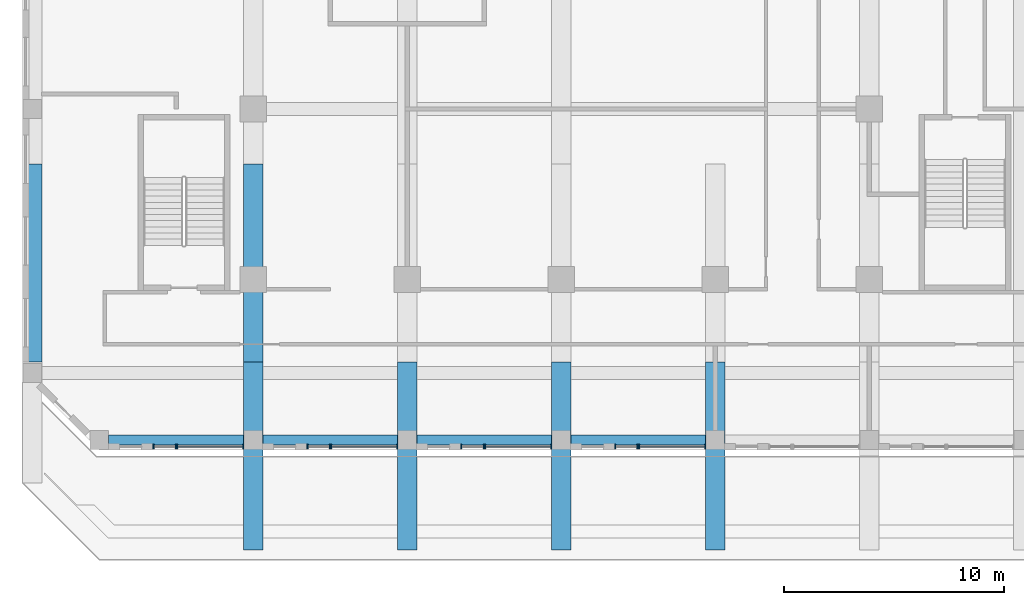
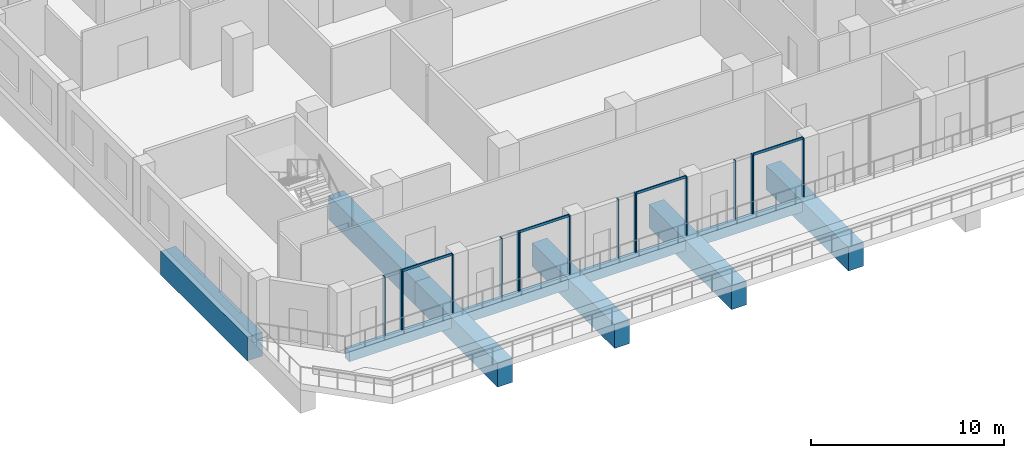
# One storey, part 2 of 17: 20 members, 10 beams, 8 elements without a shape of their own.
"""IFC4 building model written with IfcOpenShell, lengths in metres."""

from ifc_helpers import new_model, si_unit, direction, frame, origin, origin_2d, place, context, subcontext, project, spatial, rectangle, extrude, source, transform, mapped, material, material_profile, profile_set, type_object, element, aggregate, save


model = new_model("IFC4")

# Units and contexts
model_context = context("Model", 3, precision=1e-05, world=origin(), true_north=direction((0.0, 1.0)))
body_context = subcontext(model_context, "Body", "Model", "MODEL_VIEW")
ifc_project = project(units=[si_unit("LENGTHUNIT", "METRE"), si_unit("AREAUNIT", "SQUARE_METRE"), si_unit("VOLUMEUNIT", "CUBIC_METRE"), si_unit("PLANEANGLEUNIT", "RADIAN"), si_unit("MASSUNIT", "GRAM", prefix="KILO")], contexts=[model_context])

# Site, building, storey
site_placement = place(None, origin())
site = spatial("IfcSite", under=ifc_project, at=site_placement, CompositionType="ELEMENT")
building_placement = place(site_placement, origin())
building = spatial("IfcBuilding", under=site, at=building_placement, Name="Kilnfold Tower and Market Hall", CompositionType="ELEMENT")
storey_placement = place(building_placement, frame((0.0, 0.0, 100.60009765625)))
storey = spatial("IfcBuildingStorey", under=building, at=storey_placement, Name="L23", CompositionType="ELEMENT", Elevation=100.60009765625)

# Beams
ifc_material_1 = material(Name="Concrete C45", Category="concrete")
ifc_material_profile_1 = material_profile(ifc_material_1, rectangle(XDim=0.449951171875, YDim=0.64990234375, at=origin_2d()), Name="RC 450x650")
ifc_profile_set_1 = profile_set([ifc_material_profile_1], Name="Concrete C45")
beam_type_1 = type_object("IfcBeamType", Name="EDGE BEAM 450X650 C45", PredefinedType="BEAM", material=ifc_profile_set_1)
shared_shape_1 = source(origin(), body_context, "Body", "SweptSolid", [
    extrude(rectangle(XDim=0.449951171875, YDim=0.64990234375, at=origin_2d()), origin(), (0.0, 0.0, 1.0), 6.10009765625),
])
for number, where, z_axis, x_axis, name in (
    (1, (-12.050048828125, -22.550048828125, -0.72509765625), (1.0, 0.0, 0.0), (0.0, 1.0, 0.0), "Beam EB650-B3.38"),
    (2, (-5.050048828125, -22.550048828125, -0.72509765625), (1.0, 0.0, 0.0), (0.0, 1.0, 0.0), "Beam EB650-B3.39"),
    (3, (1.949951171875, -22.550048828125, -0.72509765625), (1.0, 0.0, 0.0), (0.0, 1.0, 0.0), "Beam EB650-B3.40"),
):
    element("IfcBeam", number, at=place(storey_placement, frame(where, z_axis=z_axis, x_axis=x_axis)), inside=storey, type_object=beam_type_1, Name=name, PredefinedType="BEAM", context=body_context, shape_type="MappedRepresentation", body=[
        mapped(shared_shape_1, transform((0.0, 0.0, 0.0))),
    ])
ifc_material_2 = material(Name="Concrete C60", Category="concrete")
ifc_material_profile_2 = material_profile(ifc_material_2, rectangle(XDim=0.89990234375, YDim=1.5, at=origin_2d()), Name="RC 900x1500")
ifc_profile_set_2 = profile_set([ifc_material_profile_2], Name="Concrete C60")
beam_type_2 = type_object("IfcBeamType", Name="TRANSFER GIRDER 900X1500 C60", PredefinedType="BEAM", material=ifc_profile_set_2)
shared_shape_2 = source(origin(), body_context, "Body", "SweptSolid", [
    extrude(rectangle(XDim=0.89990234375, YDim=1.5, at=origin_2d()), origin(), (0.0, 0.0, 1.0), 9.0),
])
for number, where, z_axis, x_axis, name in (
    (4, (-22.550048828125, -19.0, -1.150146484375), (0.0, 1.0, 0.0), (-1.0, 0.0, 0.0), "Beam TG1500-B3.2"),
    (5, (-12.5, -19.0, -1.150146484375), (0.0, 1.0, 0.0), (-1.0, 0.0, 0.0), "Beam TG1500-B3.8"),
):
    element("IfcBeam", number, at=place(storey_placement, frame(where, z_axis=z_axis, x_axis=x_axis)), inside=storey, type_object=beam_type_2, Name=name, PredefinedType="BEAM", context=body_context, shape_type="MappedRepresentation", body=[
        mapped(shared_shape_2, transform((0.0, 0.0, 0.0))),
    ])
shared_shape_3 = source(origin(), body_context, "Body", "SweptSolid", [
    extrude(rectangle(XDim=0.89990234375, YDim=1.5, at=origin_2d()), origin(), (0.0, 0.0, 1.0), 8.550048828125),
])
for number, where, z_axis, x_axis, name in (
    (6, (-12.5, -27.550048828125, -1.150146484375), (0.0, 1.0, 0.0), (-1.0, 0.0, 0.0), "Beam TG1500-B3.7"),
    (7, (-5.5, -27.550048828125, -1.150146484375), (0.0, 1.0, 0.0), (-1.0, 0.0, 0.0), "Beam TG1500-B3.12"),
    (8, (1.5, -27.550048828125, -1.150146484375), (0.0, 1.0, 0.0), (-1.0, 0.0, 0.0), "Beam TG1500-B3.16"),
    (9, (8.5, -27.550048828125, -1.150146484375), (0.0, 1.0, 0.0), (-1.0, 0.0, 0.0), "Beam TG1500-B3.20"),
):
    element("IfcBeam", number, at=place(storey_placement, frame(where, z_axis=z_axis, x_axis=x_axis)), inside=storey, type_object=beam_type_2, Name=name, PredefinedType="BEAM", context=body_context, shape_type="MappedRepresentation", body=[
        mapped(shared_shape_3, transform((0.0, 0.0, 0.0))),
    ])
shared_shape_4 = source(origin(), body_context, "Body", "SweptSolid", [
    extrude(rectangle(XDim=0.449951171875, YDim=0.64990234375, at=origin_2d()), origin(), (0.0, 0.0, 1.0), 6.125),
])
beam_placement = place(storey_placement, frame((-19.074951171875, -22.550048828125, -0.72509765625), z_axis=(1.0, 0.0, 0.0), x_axis=(0.0, 1.0, 0.0)))
element("IfcBeam", 10, at=beam_placement, inside=storey, type_object=beam_type_1, Name="Beam EB650-B3.37", PredefinedType="BEAM", context=body_context, shape_type="MappedRepresentation", body=[
    mapped(shared_shape_4, transform((0.0, 0.0, 0.0))),
])

# Curtain wall, members
ifc_material_3 = material(Name="Aluminium and double glazing", Category="aluminium")
curtain_wall_type = type_object("IfcCurtainWallType", Name="CW OF2 VALLEY GLAZING", PredefinedType="NOTDEFINED", material=ifc_material_3)
curtain_wall_1_placement = place(storey_placement, origin())
curtain_wall_1 = element("IfcCurtainWall", 11, at=curtain_wall_1_placement, inside=storey, type_object=curtain_wall_type, Name="Curtain wall CW2 L23 S", PredefinedType="NOTDEFINED")
ifc_material_4 = material(Name="Aluminium", Category="aluminium")
ifc_material_profile_3 = material_profile(ifc_material_4, rectangle(XDim=0.06005859375, YDim=0.199951171875, at=origin_2d()), Name="MULLION 60x200")
ifc_profile_set_3 = profile_set([ifc_material_profile_3], Name="Aluminium")
member_type_1 = type_object("IfcMemberType", Name="MULLION 60X200", PredefinedType="MULLION", material=ifc_profile_set_3)
shared_shape_5 = source(origin(), body_context, "Body", "SweptSolid", [
    extrude(rectangle(XDim=0.06005859375, YDim=0.199951171875, at=origin_2d()), origin(), (0.0, 0.0, 1.0), 3.719970703125),
])
member_1_placement = place(storey_placement, frame((-17.044921875, -22.85009765625, 0.0), z_axis=(0.0, 0.0, 1.0), x_axis=(1.0, 0.0, 0.0)))
member_1 = element("IfcMember", 12, at=member_1_placement, type_object=member_type_1, Name="CW2 mullion 1", PredefinedType="MULLION", context=body_context, shape_type="MappedRepresentation", body=[
    mapped(shared_shape_5, transform((0.0, 0.0, 0.0))),
])
member_2_placement = place(storey_placement, frame((-16.030029296875, -22.85009765625, 0.0), z_axis=(0.0, 0.0, 1.0), x_axis=(1.0, 0.0, 0.0)))
member_2 = element("IfcMember", 13, at=member_2_placement, type_object=member_type_1, Name="CW2 mullion 2", PredefinedType="MULLION", context=body_context, shape_type="MappedRepresentation", body=[
    mapped(shared_shape_5, transform((0.0, 0.0, 0.0))),
])
aggregate(curtain_wall_1, [member_1, member_2])

curtain_wall_2_placement = place(storey_placement, origin())
curtain_wall_2 = element("IfcCurtainWall", 14, at=curtain_wall_2_placement, inside=storey, type_object=curtain_wall_type, Name="Curtain wall CW2 L23 S", PredefinedType="NOTDEFINED")
member_3_placement = place(storey_placement, frame((-15.969970703125, -22.85009765625, 0.0), z_axis=(0.0, 0.0, 1.0), x_axis=(1.0, 0.0, 0.0)))
member_3 = element("IfcMember", 15, at=member_3_placement, type_object=member_type_1, Name="CW2 mullion 1", PredefinedType="MULLION", context=body_context, shape_type="MappedRepresentation", body=[
    mapped(shared_shape_5, transform((0.0, 0.0, 0.0))),
])
member_4_placement = place(storey_placement, frame((-12.955078125, -22.85009765625, 0.0), z_axis=(0.0, 0.0, 1.0), x_axis=(1.0, 0.0, 0.0)))
member_4 = element("IfcMember", 16, at=member_4_placement, type_object=member_type_1, Name="CW2 mullion 2", PredefinedType="MULLION", context=body_context, shape_type="MappedRepresentation", body=[
    mapped(shared_shape_5, transform((0.0, 0.0, 0.0))),
])

curtain_wall_3_placement = place(storey_placement, origin())
curtain_wall_3 = element("IfcCurtainWall", 17, at=curtain_wall_3_placement, inside=storey, type_object=curtain_wall_type, Name="Curtain wall CW2 L23 S", PredefinedType="NOTDEFINED")
member_5_placement = place(storey_placement, frame((-10.044921875, -22.85009765625, 0.0), z_axis=(0.0, 0.0, 1.0), x_axis=(1.0, 0.0, 0.0)))
member_5 = element("IfcMember", 18, at=member_5_placement, type_object=member_type_1, Name="CW2 mullion 1", PredefinedType="MULLION", context=body_context, shape_type="MappedRepresentation", body=[
    mapped(shared_shape_5, transform((0.0, 0.0, 0.0))),
])
member_6_placement = place(storey_placement, frame((-9.030029296875, -22.85009765625, 0.0), z_axis=(0.0, 0.0, 1.0), x_axis=(1.0, 0.0, 0.0)))
member_6 = element("IfcMember", 19, at=member_6_placement, type_object=member_type_1, Name="CW2 mullion 2", PredefinedType="MULLION", context=body_context, shape_type="MappedRepresentation", body=[
    mapped(shared_shape_5, transform((0.0, 0.0, 0.0))),
])
aggregate(curtain_wall_3, [member_5, member_6])

curtain_wall_4_placement = place(storey_placement, origin())
curtain_wall_4 = element("IfcCurtainWall", 20, at=curtain_wall_4_placement, inside=storey, type_object=curtain_wall_type, Name="Curtain wall CW2 L23 S", PredefinedType="NOTDEFINED")
member_7_placement = place(storey_placement, frame((-8.969970703125, -22.85009765625, 0.0), z_axis=(0.0, 0.0, 1.0), x_axis=(1.0, 0.0, 0.0)))
member_7 = element("IfcMember", 21, at=member_7_placement, type_object=member_type_1, Name="CW2 mullion 1", PredefinedType="MULLION", context=body_context, shape_type="MappedRepresentation", body=[
    mapped(shared_shape_5, transform((0.0, 0.0, 0.0))),
])
member_8_placement = place(storey_placement, frame((-5.955078125, -22.85009765625, 0.0), z_axis=(0.0, 0.0, 1.0), x_axis=(1.0, 0.0, 0.0)))
member_8 = element("IfcMember", 22, at=member_8_placement, type_object=member_type_1, Name="CW2 mullion 2", PredefinedType="MULLION", context=body_context, shape_type="MappedRepresentation", body=[
    mapped(shared_shape_5, transform((0.0, 0.0, 0.0))),
])

curtain_wall_5_placement = place(storey_placement, origin())
curtain_wall_5 = element("IfcCurtainWall", 23, at=curtain_wall_5_placement, inside=storey, type_object=curtain_wall_type, Name="Curtain wall CW2 L23 S", PredefinedType="NOTDEFINED")
member_9_placement = place(storey_placement, frame((-3.044921875, -22.85009765625, 0.0), z_axis=(0.0, 0.0, 1.0), x_axis=(1.0, 0.0, 0.0)))
member_9 = element("IfcMember", 24, at=member_9_placement, type_object=member_type_1, Name="CW2 mullion 1", PredefinedType="MULLION", context=body_context, shape_type="MappedRepresentation", body=[
    mapped(shared_shape_5, transform((0.0, 0.0, 0.0))),
])
member_10_placement = place(storey_placement, frame((-2.030029296875, -22.85009765625, 0.0), z_axis=(0.0, 0.0, 1.0), x_axis=(1.0, 0.0, 0.0)))
member_10 = element("IfcMember", 25, at=member_10_placement, type_object=member_type_1, Name="CW2 mullion 2", PredefinedType="MULLION", context=body_context, shape_type="MappedRepresentation", body=[
    mapped(shared_shape_5, transform((0.0, 0.0, 0.0))),
])
aggregate(curtain_wall_5, [member_9, member_10])

curtain_wall_6_placement = place(storey_placement, origin())
curtain_wall_6 = element("IfcCurtainWall", 26, at=curtain_wall_6_placement, inside=storey, type_object=curtain_wall_type, Name="Curtain wall CW2 L23 S", PredefinedType="NOTDEFINED")
member_11_placement = place(storey_placement, frame((-1.969970703125, -22.85009765625, 0.0), z_axis=(0.0, 0.0, 1.0), x_axis=(1.0, 0.0, 0.0)))
member_11 = element("IfcMember", 27, at=member_11_placement, type_object=member_type_1, Name="CW2 mullion 1", PredefinedType="MULLION", context=body_context, shape_type="MappedRepresentation", body=[
    mapped(shared_shape_5, transform((0.0, 0.0, 0.0))),
])
member_12_placement = place(storey_placement, frame((1.044921875, -22.85009765625, 0.0), z_axis=(0.0, 0.0, 1.0), x_axis=(1.0, 0.0, 0.0)))
member_12 = element("IfcMember", 28, at=member_12_placement, type_object=member_type_1, Name="CW2 mullion 2", PredefinedType="MULLION", context=body_context, shape_type="MappedRepresentation", body=[
    mapped(shared_shape_5, transform((0.0, 0.0, 0.0))),
])

curtain_wall_7_placement = place(storey_placement, origin())
curtain_wall_7 = element("IfcCurtainWall", 29, at=curtain_wall_7_placement, inside=storey, type_object=curtain_wall_type, Name="Curtain wall CW2 L23 S", PredefinedType="NOTDEFINED")
member_13_placement = place(storey_placement, frame((3.955078125, -22.85009765625, 0.0), z_axis=(0.0, 0.0, 1.0), x_axis=(1.0, 0.0, 0.0)))
member_13 = element("IfcMember", 30, at=member_13_placement, type_object=member_type_1, Name="CW2 mullion 1", PredefinedType="MULLION", context=body_context, shape_type="MappedRepresentation", body=[
    mapped(shared_shape_5, transform((0.0, 0.0, 0.0))),
])
member_14_placement = place(storey_placement, frame((4.969970703125, -22.85009765625, 0.0), z_axis=(0.0, 0.0, 1.0), x_axis=(1.0, 0.0, 0.0)))
member_14 = element("IfcMember", 31, at=member_14_placement, type_object=member_type_1, Name="CW2 mullion 2", PredefinedType="MULLION", context=body_context, shape_type="MappedRepresentation", body=[
    mapped(shared_shape_5, transform((0.0, 0.0, 0.0))),
])
aggregate(curtain_wall_7, [member_13, member_14])

curtain_wall_8_placement = place(storey_placement, origin())
curtain_wall_8 = element("IfcCurtainWall", 32, at=curtain_wall_8_placement, inside=storey, type_object=curtain_wall_type, Name="Curtain wall CW2 L23 S", PredefinedType="NOTDEFINED")
member_15_placement = place(storey_placement, frame((5.030029296875, -22.85009765625, 0.0), z_axis=(0.0, 0.0, 1.0), x_axis=(1.0, 0.0, 0.0)))
member_15 = element("IfcMember", 33, at=member_15_placement, type_object=member_type_1, Name="CW2 mullion 1", PredefinedType="MULLION", context=body_context, shape_type="MappedRepresentation", body=[
    mapped(shared_shape_5, transform((0.0, 0.0, 0.0))),
])
member_16_placement = place(storey_placement, frame((8.044921875, -22.85009765625, 0.0), z_axis=(0.0, 0.0, 1.0), x_axis=(1.0, 0.0, 0.0)))
member_16 = element("IfcMember", 34, at=member_16_placement, type_object=member_type_1, Name="CW2 mullion 2", PredefinedType="MULLION", context=body_context, shape_type="MappedRepresentation", body=[
    mapped(shared_shape_5, transform((0.0, 0.0, 0.0))),
])

# Member
ifc_material_5 = material(Name="Aluminium", Category="aluminium")
ifc_material_profile_4 = material_profile(ifc_material_5, rectangle(XDim=0.06005859375, YDim=0.159912109375, at=origin_2d()), Name="TRANSOM 60x160")
ifc_profile_set_4 = profile_set([ifc_material_profile_4], Name="Aluminium")
member_type_2 = type_object("IfcMemberType", Name="TRANSOM 60X160", PredefinedType="USERDEFINED", material=ifc_profile_set_4)
shared_shape_6 = source(origin(), body_context, "Body", "SweptSolid", [
    extrude(rectangle(XDim=0.06005859375, YDim=0.159912109375, at=origin_2d()), origin(), (0.0, 0.0, 1.0), 2.954833984375),
])
member_17_placement = place(storey_placement, frame((-15.93994140625, -22.85009765625, 3.68994140625), z_axis=(1.0, 0.0, 0.0), x_axis=(0.0, 1.0, 0.0)))
member_17 = element("IfcMember", 35, at=member_17_placement, type_object=member_type_2, Name="CW2 transom 1.2", ObjectType="TRANSOM", PredefinedType="USERDEFINED", context=body_context, shape_type="MappedRepresentation", body=[
    mapped(shared_shape_6, transform((0.0, 0.0, 0.0))),
])

aggregate(curtain_wall_2, [member_3, member_4, member_17])

member_18_placement = place(storey_placement, frame((-8.93994140625, -22.85009765625, 3.68994140625), z_axis=(1.0, 0.0, 0.0), x_axis=(0.0, 1.0, 0.0)))
member_18 = element("IfcMember", 36, at=member_18_placement, type_object=member_type_2, Name="CW2 transom 1.2", ObjectType="TRANSOM", PredefinedType="USERDEFINED", context=body_context, shape_type="MappedRepresentation", body=[
    mapped(shared_shape_6, transform((0.0, 0.0, 0.0))),
])

aggregate(curtain_wall_4, [member_7, member_8, member_18])

member_19_placement = place(storey_placement, frame((-1.93994140625, -22.85009765625, 3.68994140625), z_axis=(1.0, 0.0, 0.0), x_axis=(0.0, 1.0, 0.0)))
member_19 = element("IfcMember", 37, at=member_19_placement, type_object=member_type_2, Name="CW2 transom 1.2", ObjectType="TRANSOM", PredefinedType="USERDEFINED", context=body_context, shape_type="MappedRepresentation", body=[
    mapped(shared_shape_6, transform((0.0, 0.0, 0.0))),
])

aggregate(curtain_wall_6, [member_11, member_12, member_19])

member_20_placement = place(storey_placement, frame((5.06005859375, -22.85009765625, 3.68994140625), z_axis=(1.0, 0.0, 0.0), x_axis=(0.0, 1.0, 0.0)))
member_20 = element("IfcMember", 38, at=member_20_placement, type_object=member_type_2, Name="CW2 transom 1.2", ObjectType="TRANSOM", PredefinedType="USERDEFINED", context=body_context, shape_type="MappedRepresentation", body=[
    mapped(shared_shape_6, transform((0.0, 0.0, 0.0))),
])

aggregate(curtain_wall_8, [member_15, member_16, member_20])

save(model, "model.ifc")
